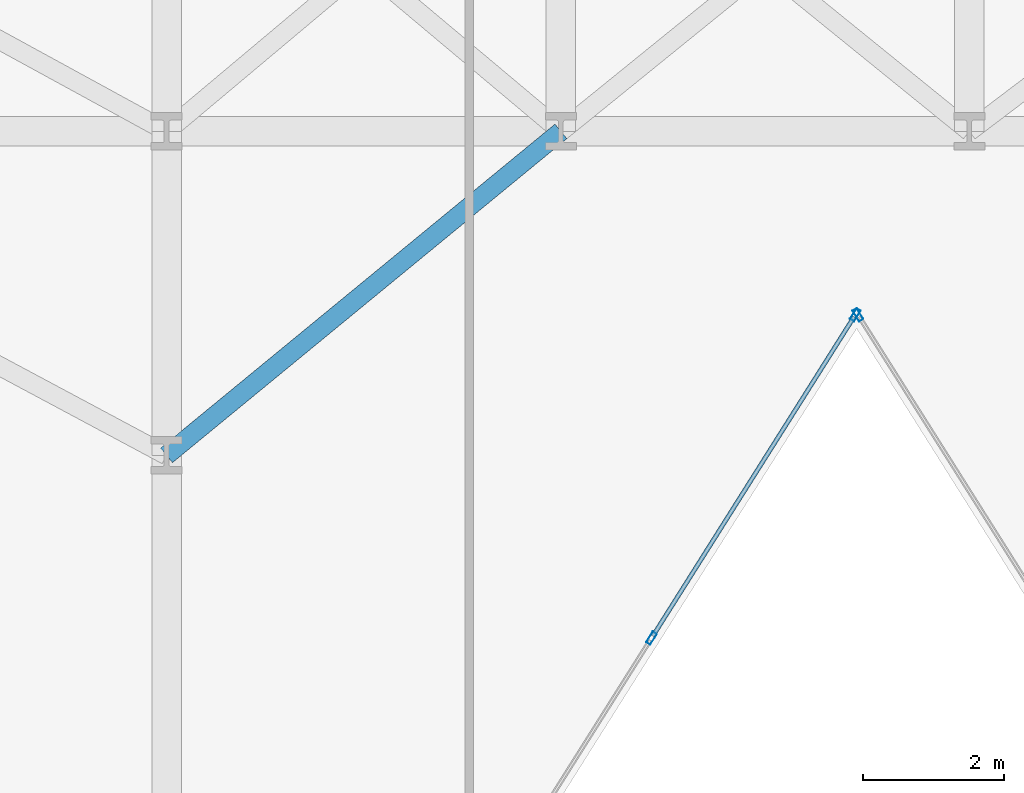
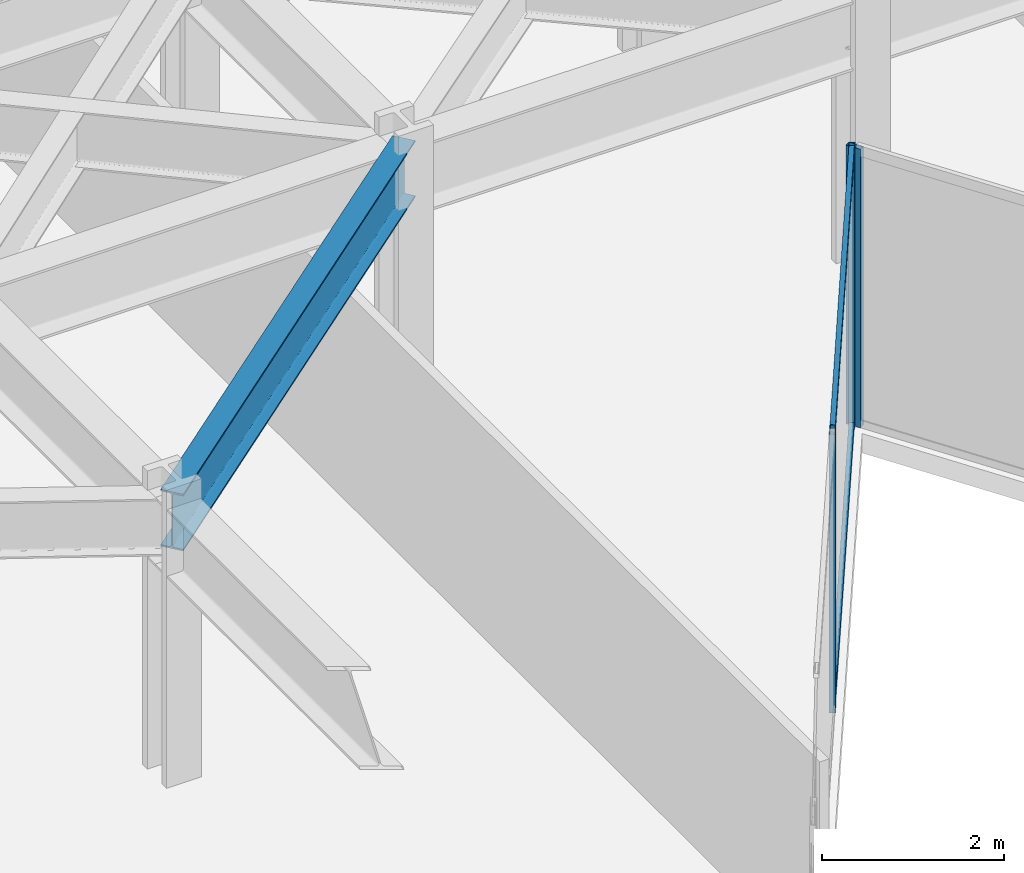
# One storey, part 10 of 25: 5 members, 1 beam, 2 elements without a shape of their own.
"""IFC4 building model written with IfcOpenShell, lengths in metres."""

from ifc_helpers import new_model, si_unit, direction, frame, origin, origin_2d, place, context, subcontext, project, spatial, hollow_rectangle, i_section, extrude, material, layer, layer_set, material_profile, profile_set, type_object, element, aggregate, save


model = new_model("IFC4")

# Units and contexts
model_context = context("Model", 3, precision=1e-05, world=origin(), true_north=direction((0.0, 1.0)))
body_context = subcontext(model_context, "Body", "Model", "MODEL_VIEW")
ifc_project = project(units=[si_unit("LENGTHUNIT", "METRE"), si_unit("AREAUNIT", "SQUARE_METRE"), si_unit("VOLUMEUNIT", "CUBIC_METRE"), si_unit("PLANEANGLEUNIT", "RADIAN"), si_unit("MASSUNIT", "GRAM", prefix="KILO")], contexts=[model_context])

# Site, building, storey
site_placement = place(None, origin())
site = spatial("IfcSite", under=ifc_project, at=site_placement, CompositionType="ELEMENT")
building_placement = place(site_placement, origin())
building = spatial("IfcBuilding", under=site, at=building_placement, Name="Kravanh Interchange Tower", CompositionType="ELEMENT")
storey_placement = place(building_placement, frame((0.0, 0.0, 33.5)))
storey = spatial("IfcBuildingStorey", under=building, at=storey_placement, Name="L07", CompositionType="ELEMENT", Elevation=33.5)

# Curtain wall, member
ifc_material_1 = material(Name="Anodised Bronze Aluminium", Category="aluminium")
ifc_layer = layer(ifc_material_1, 0.179931640625)
ifc_layer_set = layer_set([ifc_layer], Name="Unitised Curtain Wall System CW-Z1 Lower Office")
curtain_wall_type = type_object("IfcCurtainWallType", Name="Unitised Curtain Wall System CW-Z1 Lower Office", PredefinedType="NOTDEFINED", material=ifc_layer_set)
curtain_wall_1_placement = place(storey_placement, origin())
curtain_wall_1 = element("IfcCurtainWall", 1, at=curtain_wall_1_placement, inside=storey, type_object=curtain_wall_type, Name="L07 Unitised Curtain Wall CW-L07-04", PredefinedType="NOTDEFINED")
ifc_material_2 = material(Name="Anodised Bronze Aluminium", Category="aluminium")
ifc_material_profile_1 = material_profile(ifc_material_2, hollow_rectangle(XDim=0.070068359375, YDim=0.179931640625, WallThickness=0.00390625, at=origin_2d()), Name="ALU70X180X4")
ifc_profile_set_1 = profile_set([ifc_material_profile_1], Name="Anodised Bronze Aluminium")
member_type_1 = type_object("IfcMemberType", Name="Curtain Wall Mullion ALU70X180X4 Bronze", PredefinedType="MULLION", material=ifc_profile_set_1)
member_1_placement = place(storey_placement, frame((37.0185546875, 24.1953125, 0.0), z_axis=(0.0, 0.0, 1.0), x_axis=(-0.845925530786, -0.53330103728, 0.0)))
member_1 = element("IfcMember", 2, at=member_1_placement, type_object=member_type_1, Name="CW-Z1 mullion 6", PredefinedType="MULLION", context=body_context, shape_type="SweptSolid", body=[
    extrude(hollow_rectangle(XDim=0.070068359375, YDim=0.179931640625, WallThickness=0.00390625, at=origin_2d()), origin(), (0.0, 0.0, 1.0), 3.739990234375),
])
aggregate(curtain_wall_1, [member_1])

# Curtain wall, members
curtain_wall_2_placement = place(storey_placement, origin())
curtain_wall_2 = element("IfcCurtainWall", 3, at=curtain_wall_2_placement, inside=storey, type_object=curtain_wall_type, Name="L07 Unitised Curtain Wall CW-L07-05", PredefinedType="NOTDEFINED")
member_2_placement = place(storey_placement, frame((36.9814453125, 24.1953125, 0.0), z_axis=(0.0, 0.0, 1.0), x_axis=(0.845925530786, -0.53330103728, 0.0)))
member_2 = element("IfcMember", 4, at=member_2_placement, type_object=member_type_1, Name="CW-Z1 mullion 1", PredefinedType="MULLION", context=body_context, shape_type="SweptSolid", body=[
    extrude(hollow_rectangle(XDim=0.070068359375, YDim=0.179931640625, WallThickness=0.00390625, at=origin_2d()), origin(), (0.0, 0.0, 1.0), 3.739990234375),
])
member_3_placement = place(storey_placement, frame((34.086669921875, 19.60400390625, 0.0), z_axis=(0.0, 0.0, 1.0), x_axis=(0.845925530786, -0.53330103728, 0.0)))
member_3 = element("IfcMember", 5, at=member_3_placement, type_object=member_type_1, Name="CW-Z1 mullion 2", PredefinedType="MULLION", context=body_context, shape_type="SweptSolid", body=[
    extrude(hollow_rectangle(XDim=0.070068359375, YDim=0.179931640625, WallThickness=0.00390625, at=origin_2d()), origin(), (0.0, 0.0, 1.0), 3.739990234375),
])
ifc_material_3 = material(Name="Anodised Bronze Aluminium", Category="aluminium")
ifc_material_profile_2 = material_profile(ifc_material_3, hollow_rectangle(XDim=0.06005859375, YDim=0.139892578125, WallThickness=0.00390625, at=origin_2d()), Name="ALU60X140X4")
ifc_profile_set_2 = profile_set([ifc_material_profile_2], Name="Anodised Bronze Aluminium")
member_type_2 = type_object("IfcMemberType", Name="Curtain Wall Transom ALU60X140X4 Bronze", PredefinedType="USERDEFINED", material=ifc_profile_set_2)
member_4_placement = place(storey_placement, frame((36.962646484375, 24.165771484375, 0.030029296875), z_axis=(-0.533288163518, -0.845933646719, 0.0), x_axis=(0.845933646719, -0.533288163518, 0.0)))
member_4 = element("IfcMember", 6, at=member_4_placement, type_object=member_type_2, Name="CW-Z1 transom 1.1", ObjectType="TRANSOM", PredefinedType="USERDEFINED", context=body_context, shape_type="SweptSolid", body=[
    extrude(hollow_rectangle(XDim=0.06005859375, YDim=0.139892578125, WallThickness=0.00390625, at=origin_2d()), origin(), (0.0, 0.0, 1.0), 5.357666015625),
])
member_5_placement = place(storey_placement, frame((36.962646484375, 24.165771484375, 3.7099609375), z_axis=(-0.533288163518, -0.845933646719, 0.0), x_axis=(0.845933646719, -0.533288163518, 0.0)))
member_5 = element("IfcMember", 7, at=member_5_placement, type_object=member_type_2, Name="CW-Z1 transom 1.2", ObjectType="TRANSOM", PredefinedType="USERDEFINED", context=body_context, shape_type="SweptSolid", body=[
    extrude(hollow_rectangle(XDim=0.06005859375, YDim=0.139892578125, WallThickness=0.00390625, at=origin_2d()), origin(), (0.0, 0.0, 1.0), 5.357666015625),
])
aggregate(curtain_wall_2, [member_2, member_3, member_4, member_5])

# Beam
ifc_material_4 = material(Name="Structural Steel S355", Category="steel")
ifc_material_profile_3 = material_profile(ifc_material_4, i_section(OverallWidth=0.26708984375, OverallDepth=0.761962890625, WebThickness=0.014404296875, FlangeThickness=0.021484375, FilletRadius=0.02490234375, at=origin_2d()), Name="W30X116")
ifc_profile_set_3 = profile_set([ifc_material_profile_3], Name="Structural Steel S355")
beam_type = type_object("IfcBeamType", Name="Floor Spandrel W30X116 Structural Steel S355", PredefinedType="SPANDREL", material=ifc_profile_set_3)
beam_placement = place(storey_placement, frame((27.199951171875, 22.199951171875, 3.35888671875), z_axis=(0.772725074305, 0.634740860147, 0.0), x_axis=(-0.634740860147, 0.772725074305, 0.0)))
element("IfcBeam", 8, at=beam_placement, inside=storey, type_object=beam_type, Name="L07 Perimeter Spandrel 55", PredefinedType="SPANDREL", context=body_context, shape_type="SweptSolid", body=[
    extrude(i_section(OverallWidth=0.26708984375, OverallDepth=0.761962890625, WebThickness=0.014404296875, FlangeThickness=0.021484375, FilletRadius=0.02490234375, at=origin_2d()), origin(), (0.0, 0.0, 1.0), 7.247314453125),
])

save(model, "model.ifc")
